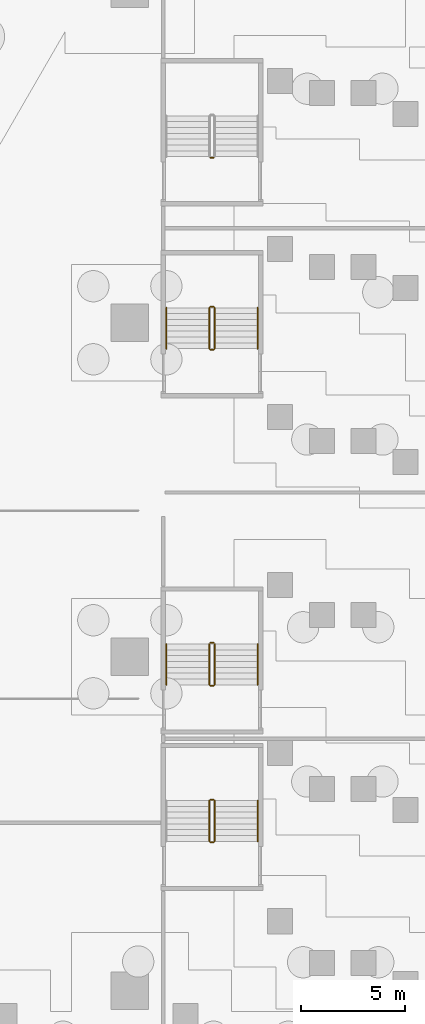
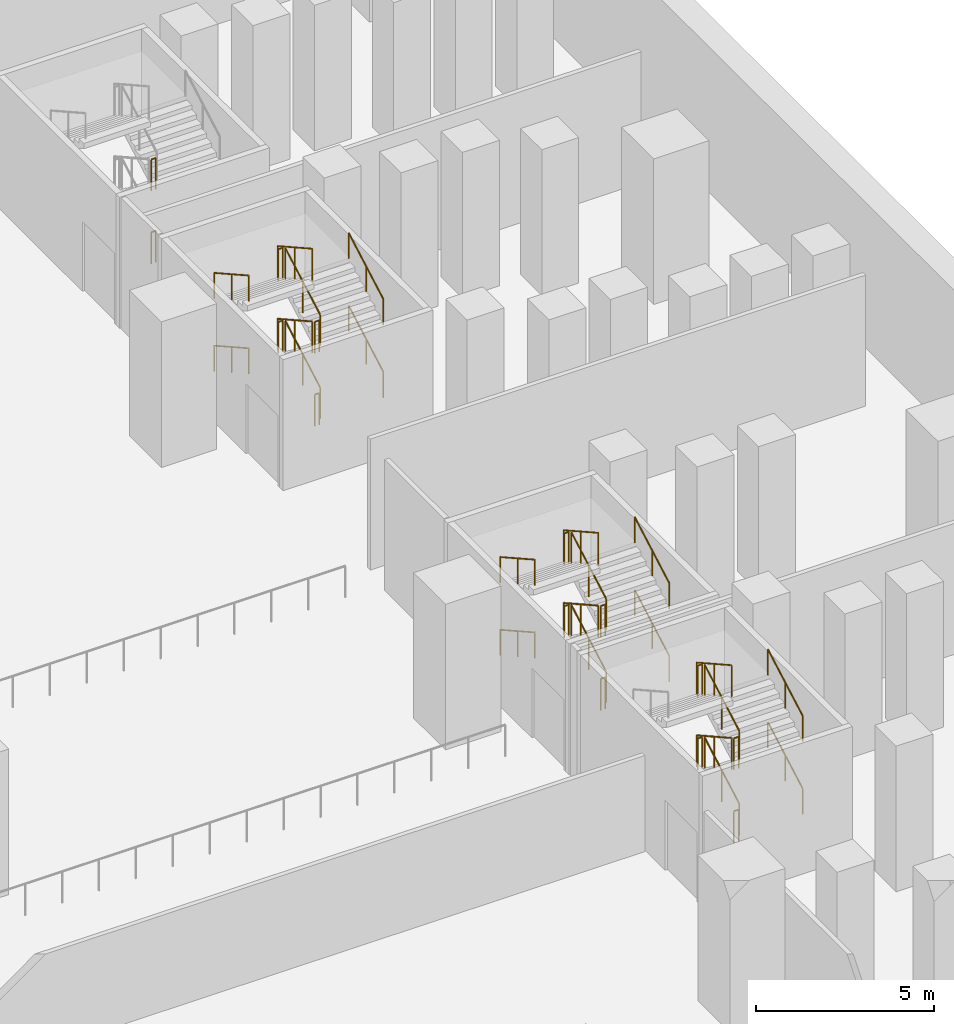
# One storey, part 23 of 27: 36 railings.
"""IFC4 building model written with IfcOpenShell, lengths in metres."""

from ifc_helpers import new_model, si_unit, direction, frame, origin, origin_2d, place, context, subcontext, project, spatial, circle, extrude, material, type_object, element, save


model = new_model("IFC4")

# Units and contexts
model_context = context("Model", 3, precision=1e-05, world=origin(), true_north=direction((0.0, 1.0)))
body_context = subcontext(model_context, "Body", "Model", "MODEL_VIEW")
ifc_project = project(units=[si_unit("LENGTHUNIT", "METRE"), si_unit("AREAUNIT", "SQUARE_METRE"), si_unit("VOLUMEUNIT", "CUBIC_METRE"), si_unit("PLANEANGLEUNIT", "RADIAN"), si_unit("MASSUNIT", "GRAM", prefix="KILO")], contexts=[model_context])

# Site, building, storey
site_placement = place(None, origin())
site = spatial("IfcSite", under=ifc_project, at=site_placement, CompositionType="ELEMENT")
building_placement = place(site_placement, origin())
building = spatial("IfcBuilding", under=site, at=building_placement, Name="Calabash Gate Tower", CompositionType="ELEMENT")
storey_placement = place(building_placement, frame((0.0, 0.0, -10.0)))
storey = spatial("IfcBuildingStorey", under=building, at=storey_placement, Name="B2", CompositionType="ELEMENT", Elevation=-10.0)

# Railings
ifc_material_1 = material(Name="Black powder-coated steel balusters", Category="steel")
railing_type_1 = type_object("IfcRailingType", Name="Stair guard RL1100", PredefinedType="GUARDRAIL", material=ifc_material_1)
railing_1_placement = place(storey_placement, frame((36.06005859375, -32.840087890625, 0.15625)))
element("IfcRailing", 1, at=railing_1_placement, inside=storey, type_object=railing_type_1, Name="B2 PS6 stair guard 1", PredefinedType="GUARDRAIL", context=body_context, shape_type="SweptSolid", body=[
    extrude(circle(Radius=0.02392578125, at=origin_2d()), frame((0.0, 0.0, 1.076171875), z_axis=(0.0, 0.87250601595, 0.488603368932), x_axis=(-1.0, 0.0, 0.0)), (0.0, 0.0, 1.0), 2.238525390625),
    extrude(circle(Radius=0.02099609375, at=origin_2d()), origin(), (0.0, 0.0, 1.0), 1.052001953125),
    extrude(circle(Radius=0.02099609375, at=origin_2d()), frame((0.0, 0.9765625, 0.546875)), (0.0, 0.0, 1.0), 1.052001953125),
    extrude(circle(Radius=0.02099609375, at=origin_2d()), frame((0.0, 1.953125, 1.09375)), (0.0, 0.0, 1.0), 1.052001953125),
])
railing_2_placement = place(storey_placement, frame((36.010009765625, -30.8369140625, 1.25)))
element("IfcRailing", 2, at=railing_2_placement, inside=storey, type_object=railing_type_1, Name="B2 PS6 stair guard 2", PredefinedType="GUARDRAIL", context=body_context, shape_type="SweptSolid", body=[
    extrude(circle(Radius=0.02392578125, at=origin_2d()), frame((0.0, 0.0, 1.076171875), z_axis=(-1.0, 0.0, 0.0), x_axis=(0.0, -1.0, 0.0)), (0.0, 0.0, 1.0), 0.14990234375),
    extrude(circle(Radius=0.02099609375, at=origin_2d()), origin(), (0.0, 0.0, 1.0), 1.052001953125),
    extrude(circle(Radius=0.02099609375, at=origin_2d()), frame((-0.14990234375, 0.0, 0.0)), (0.0, 0.0, 1.0), 1.052001953125),
])
railing_3_placement = place(storey_placement, frame((35.81005859375, -30.886962890625, 1.40625)))
element("IfcRailing", 3, at=railing_3_placement, inside=storey, type_object=railing_type_1, Name="B2 PS6 stair guard 3", PredefinedType="GUARDRAIL", context=body_context, shape_type="SweptSolid", body=[
    extrude(circle(Radius=0.02392578125, at=origin_2d()), frame((0.0, 0.0, 1.076171875), z_axis=(0.0, -0.87250601595, 0.488603368932), x_axis=(1.0, 0.0, 0.0)), (0.0, 0.0, 1.0), 2.238525390625),
    extrude(circle(Radius=0.02099609375, at=origin_2d()), origin(), (0.0, 0.0, 1.0), 1.052001953125),
    extrude(circle(Radius=0.02099609375, at=origin_2d()), frame((0.0, -0.9765625, 0.546875)), (0.0, 0.0, 1.0), 1.052001953125),
    extrude(circle(Radius=0.02099609375, at=origin_2d()), frame((0.0, -1.953125, 1.09375)), (0.0, 0.0, 1.0), 1.052001953125),
])
railing_4_placement = place(storey_placement, frame((36.010009765625, -32.889892578125, 2.5)))
element("IfcRailing", 4, at=railing_4_placement, inside=storey, type_object=railing_type_1, Name="B2 PS6 stair guard 4", PredefinedType="GUARDRAIL", context=body_context, shape_type="SweptSolid", body=[
    extrude(circle(Radius=0.02392578125, at=origin_2d()), frame((0.0, 0.0, 1.076171875), z_axis=(-1.0, 0.0, 0.0), x_axis=(0.0, -1.0, 0.0)), (0.0, 0.0, 1.0), 0.14990234375),
    extrude(circle(Radius=0.02099609375, at=origin_2d()), origin(), (0.0, 0.0, 1.0), 1.052001953125),
    extrude(circle(Radius=0.02099609375, at=origin_2d()), frame((-0.14990234375, 0.0, 0.0)), (0.0, 0.0, 1.0), 1.052001953125),
])
railing_5_placement = place(storey_placement, frame((36.06005859375, -32.840087890625, 2.65625)))
element("IfcRailing", 5, at=railing_5_placement, inside=storey, type_object=railing_type_1, Name="B2 PS6 stair guard 5", PredefinedType="GUARDRAIL", context=body_context, shape_type="SweptSolid", body=[
    extrude(circle(Radius=0.02392578125, at=origin_2d()), frame((0.0, 0.0, 1.076171875), z_axis=(0.0, 0.87250601595, 0.488603368932), x_axis=(-1.0, 0.0, 0.0)), (0.0, 0.0, 1.0), 2.238525390625),
    extrude(circle(Radius=0.02099609375, at=origin_2d()), origin(), (0.0, 0.0, 1.0), 1.052001953125),
    extrude(circle(Radius=0.02099609375, at=origin_2d()), frame((0.0, 0.9765625, 0.546875)), (0.0, 0.0, 1.0), 1.052001953125),
    extrude(circle(Radius=0.02099609375, at=origin_2d()), frame((0.0, 1.953125, 1.09375)), (0.0, 0.0, 1.0), 1.052001953125),
])
railing_6_placement = place(storey_placement, frame((36.010009765625, -30.8369140625, 3.75)))
element("IfcRailing", 6, at=railing_6_placement, inside=storey, type_object=railing_type_1, Name="B2 PS6 stair guard 6", PredefinedType="GUARDRAIL", context=body_context, shape_type="SweptSolid", body=[
    extrude(circle(Radius=0.02392578125, at=origin_2d()), frame((0.0, 0.0, 1.076171875), z_axis=(-1.0, 0.0, 0.0), x_axis=(0.0, -1.0, 0.0)), (0.0, 0.0, 1.0), 0.14990234375),
    extrude(circle(Radius=0.02099609375, at=origin_2d()), origin(), (0.0, 0.0, 1.0), 1.052001953125),
    extrude(circle(Radius=0.02099609375, at=origin_2d()), frame((-0.14990234375, 0.0, 0.0)), (0.0, 0.0, 1.0), 1.052001953125),
])
railing_7_placement = place(storey_placement, frame((35.81005859375, -30.886962890625, 3.90625)))
element("IfcRailing", 7, at=railing_7_placement, inside=storey, type_object=railing_type_1, Name="B2 PS6 stair guard 7", PredefinedType="GUARDRAIL", context=body_context, shape_type="SweptSolid", body=[
    extrude(circle(Radius=0.02392578125, at=origin_2d()), frame((0.0, 0.0, 1.076171875), z_axis=(0.0, -0.87250601595, 0.488603368932), x_axis=(1.0, 0.0, 0.0)), (0.0, 0.0, 1.0), 2.238525390625),
    extrude(circle(Radius=0.02099609375, at=origin_2d()), origin(), (0.0, 0.0, 1.0), 1.052001953125),
    extrude(circle(Radius=0.02099609375, at=origin_2d()), frame((0.0, -0.9765625, 0.546875)), (0.0, 0.0, 1.0), 1.052001953125),
    extrude(circle(Radius=0.02099609375, at=origin_2d()), frame((0.0, -1.953125, 1.09375)), (0.0, 0.0, 1.0), 1.052001953125),
])
railing_8_placement = place(storey_placement, frame((36.010009765625, -32.889892578125, 0.0)))
element("IfcRailing", 8, at=railing_8_placement, inside=storey, type_object=railing_type_1, Name="B2 PS6 stair guard 8", PredefinedType="GUARDRAIL", context=body_context, shape_type="SweptSolid", body=[
    extrude(circle(Radius=0.02392578125, at=origin_2d()), frame((0.0, 0.0, 1.076171875), z_axis=(-1.0, 0.0, 0.0), x_axis=(0.0, -1.0, 0.0)), (0.0, 0.0, 1.0), 0.14990234375),
    extrude(circle(Radius=0.02099609375, at=origin_2d()), origin(), (0.0, 0.0, 1.0), 1.052001953125),
    extrude(circle(Radius=0.02099609375, at=origin_2d()), frame((-0.14990234375, 0.0, 0.0)), (0.0, 0.0, 1.0), 1.052001953125),
])
railing_9_placement = place(storey_placement, frame((36.06005859375, -25.340087890625, 0.15625)))
element("IfcRailing", 9, at=railing_9_placement, inside=storey, type_object=railing_type_1, Name="B2 PS7 stair guard 1", PredefinedType="GUARDRAIL", context=body_context, shape_type="SweptSolid", body=[
    extrude(circle(Radius=0.02392578125, at=origin_2d()), frame((0.0, 0.0, 1.076171875), z_axis=(0.0, 0.87250601595, 0.488603368932), x_axis=(-1.0, 0.0, 0.0)), (0.0, 0.0, 1.0), 2.238525390625),
    extrude(circle(Radius=0.02099609375, at=origin_2d()), origin(), (0.0, 0.0, 1.0), 1.052001953125),
    extrude(circle(Radius=0.02099609375, at=origin_2d()), frame((0.0, 0.9765625, 0.546875)), (0.0, 0.0, 1.0), 1.052001953125),
    extrude(circle(Radius=0.02099609375, at=origin_2d()), frame((0.0, 1.953125, 1.09375)), (0.0, 0.0, 1.0), 1.052001953125),
])
railing_10_placement = place(storey_placement, frame((36.010009765625, -23.3369140625, 1.25)))
element("IfcRailing", 10, at=railing_10_placement, inside=storey, type_object=railing_type_1, Name="B2 PS7 stair guard 2", PredefinedType="GUARDRAIL", context=body_context, shape_type="SweptSolid", body=[
    extrude(circle(Radius=0.02392578125, at=origin_2d()), frame((0.0, 0.0, 1.076171875), z_axis=(-1.0, 0.0, 0.0), x_axis=(0.0, -1.0, 0.0)), (0.0, 0.0, 1.0), 0.14990234375),
    extrude(circle(Radius=0.02099609375, at=origin_2d()), origin(), (0.0, 0.0, 1.0), 1.052001953125),
    extrude(circle(Radius=0.02099609375, at=origin_2d()), frame((-0.14990234375, 0.0, 0.0)), (0.0, 0.0, 1.0), 1.052001953125),
])
railing_11_placement = place(storey_placement, frame((35.81005859375, -23.386962890625, 1.40625)))
element("IfcRailing", 11, at=railing_11_placement, inside=storey, type_object=railing_type_1, Name="B2 PS7 stair guard 3", PredefinedType="GUARDRAIL", context=body_context, shape_type="SweptSolid", body=[
    extrude(circle(Radius=0.02392578125, at=origin_2d()), frame((0.0, 0.0, 1.076171875), z_axis=(0.0, -0.87250601595, 0.488603368932), x_axis=(1.0, 0.0, 0.0)), (0.0, 0.0, 1.0), 2.238525390625),
    extrude(circle(Radius=0.02099609375, at=origin_2d()), origin(), (0.0, 0.0, 1.0), 1.052001953125),
    extrude(circle(Radius=0.02099609375, at=origin_2d()), frame((0.0, -0.9765625, 0.546875)), (0.0, 0.0, 1.0), 1.052001953125),
    extrude(circle(Radius=0.02099609375, at=origin_2d()), frame((0.0, -1.953125, 1.09375)), (0.0, 0.0, 1.0), 1.052001953125),
])
railing_12_placement = place(storey_placement, frame((36.010009765625, -25.389892578125, 2.5)))
element("IfcRailing", 12, at=railing_12_placement, inside=storey, type_object=railing_type_1, Name="B2 PS7 stair guard 4", PredefinedType="GUARDRAIL", context=body_context, shape_type="SweptSolid", body=[
    extrude(circle(Radius=0.02392578125, at=origin_2d()), frame((0.0, 0.0, 1.076171875), z_axis=(-1.0, 0.0, 0.0), x_axis=(0.0, -1.0, 0.0)), (0.0, 0.0, 1.0), 0.14990234375),
    extrude(circle(Radius=0.02099609375, at=origin_2d()), origin(), (0.0, 0.0, 1.0), 1.052001953125),
    extrude(circle(Radius=0.02099609375, at=origin_2d()), frame((-0.14990234375, 0.0, 0.0)), (0.0, 0.0, 1.0), 1.052001953125),
])
railing_13_placement = place(storey_placement, frame((36.06005859375, -25.340087890625, 2.65625)))
element("IfcRailing", 13, at=railing_13_placement, inside=storey, type_object=railing_type_1, Name="B2 PS7 stair guard 5", PredefinedType="GUARDRAIL", context=body_context, shape_type="SweptSolid", body=[
    extrude(circle(Radius=0.02392578125, at=origin_2d()), frame((0.0, 0.0, 1.076171875), z_axis=(0.0, 0.87250601595, 0.488603368932), x_axis=(-1.0, 0.0, 0.0)), (0.0, 0.0, 1.0), 2.238525390625),
    extrude(circle(Radius=0.02099609375, at=origin_2d()), origin(), (0.0, 0.0, 1.0), 1.052001953125),
    extrude(circle(Radius=0.02099609375, at=origin_2d()), frame((0.0, 0.9765625, 0.546875)), (0.0, 0.0, 1.0), 1.052001953125),
    extrude(circle(Radius=0.02099609375, at=origin_2d()), frame((0.0, 1.953125, 1.09375)), (0.0, 0.0, 1.0), 1.052001953125),
])
railing_14_placement = place(storey_placement, frame((36.010009765625, -23.3369140625, 3.75)))
element("IfcRailing", 14, at=railing_14_placement, inside=storey, type_object=railing_type_1, Name="B2 PS7 stair guard 6", PredefinedType="GUARDRAIL", context=body_context, shape_type="SweptSolid", body=[
    extrude(circle(Radius=0.02392578125, at=origin_2d()), frame((0.0, 0.0, 1.076171875), z_axis=(-1.0, 0.0, 0.0), x_axis=(0.0, -1.0, 0.0)), (0.0, 0.0, 1.0), 0.14990234375),
    extrude(circle(Radius=0.02099609375, at=origin_2d()), origin(), (0.0, 0.0, 1.0), 1.052001953125),
    extrude(circle(Radius=0.02099609375, at=origin_2d()), frame((-0.14990234375, 0.0, 0.0)), (0.0, 0.0, 1.0), 1.052001953125),
])
railing_15_placement = place(storey_placement, frame((35.81005859375, -23.386962890625, 3.90625)))
element("IfcRailing", 15, at=railing_15_placement, inside=storey, type_object=railing_type_1, Name="B2 PS7 stair guard 7", PredefinedType="GUARDRAIL", context=body_context, shape_type="SweptSolid", body=[
    extrude(circle(Radius=0.02392578125, at=origin_2d()), frame((0.0, 0.0, 1.076171875), z_axis=(0.0, -0.87250601595, 0.488603368932), x_axis=(1.0, 0.0, 0.0)), (0.0, 0.0, 1.0), 2.238525390625),
    extrude(circle(Radius=0.02099609375, at=origin_2d()), origin(), (0.0, 0.0, 1.0), 1.052001953125),
    extrude(circle(Radius=0.02099609375, at=origin_2d()), frame((0.0, -0.9765625, 0.546875)), (0.0, 0.0, 1.0), 1.052001953125),
    extrude(circle(Radius=0.02099609375, at=origin_2d()), frame((0.0, -1.953125, 1.09375)), (0.0, 0.0, 1.0), 1.052001953125),
])
railing_16_placement = place(storey_placement, frame((36.010009765625, -25.389892578125, 0.0)))
element("IfcRailing", 16, at=railing_16_placement, inside=storey, type_object=railing_type_1, Name="B2 PS7 stair guard 8", PredefinedType="GUARDRAIL", context=body_context, shape_type="SweptSolid", body=[
    extrude(circle(Radius=0.02392578125, at=origin_2d()), frame((0.0, 0.0, 1.076171875), z_axis=(-1.0, 0.0, 0.0), x_axis=(0.0, -1.0, 0.0)), (0.0, 0.0, 1.0), 0.14990234375),
    extrude(circle(Radius=0.02099609375, at=origin_2d()), origin(), (0.0, 0.0, 1.0), 1.052001953125),
    extrude(circle(Radius=0.02099609375, at=origin_2d()), frame((-0.14990234375, 0.0, 0.0)), (0.0, 0.0, 1.0), 1.052001953125),
])
railing_17_placement = place(storey_placement, frame((36.06005859375, -9.239990234375, 0.15625)))
element("IfcRailing", 17, at=railing_17_placement, inside=storey, type_object=railing_type_1, Name="B2 PS8 stair guard 1", PredefinedType="GUARDRAIL", context=body_context, shape_type="SweptSolid", body=[
    extrude(circle(Radius=0.02392578125, at=origin_2d()), frame((0.0, 0.0, 1.076171875), z_axis=(0.0, 0.872479975208, 0.48864986735), x_axis=(-1.0, 0.0, 0.0)), (0.0, 0.0, 1.0), 2.23828125),
    extrude(circle(Radius=0.02099609375, at=origin_2d()), origin(), (0.0, 0.0, 1.0), 1.052001953125),
    extrude(circle(Radius=0.02099609375, at=origin_2d()), frame((0.0, 0.9765625, 0.546875)), (0.0, 0.0, 1.0), 1.052001953125),
    extrude(circle(Radius=0.02099609375, at=origin_2d()), frame((0.0, 1.952880859375, 1.09375)), (0.0, 0.0, 1.0), 1.052001953125),
])
railing_18_placement = place(storey_placement, frame((36.010009765625, -7.237060546875, 1.25)))
element("IfcRailing", 18, at=railing_18_placement, inside=storey, type_object=railing_type_1, Name="B2 PS8 stair guard 2", PredefinedType="GUARDRAIL", context=body_context, shape_type="SweptSolid", body=[
    extrude(circle(Radius=0.02392578125, at=origin_2d()), frame((0.0, 0.0, 1.076171875), z_axis=(-1.0, 0.0, 0.0), x_axis=(0.0, -1.0, 0.0)), (0.0, 0.0, 1.0), 0.14990234375),
    extrude(circle(Radius=0.02099609375, at=origin_2d()), origin(), (0.0, 0.0, 1.0), 1.052001953125),
    extrude(circle(Radius=0.02099609375, at=origin_2d()), frame((-0.14990234375, 0.0, 0.0)), (0.0, 0.0, 1.0), 1.052001953125),
])
railing_19_placement = place(storey_placement, frame((35.81005859375, -7.287109375, 1.40625)))
element("IfcRailing", 19, at=railing_19_placement, inside=storey, type_object=railing_type_1, Name="B2 PS8 stair guard 3", PredefinedType="GUARDRAIL", context=body_context, shape_type="SweptSolid", body=[
    extrude(circle(Radius=0.02392578125, at=origin_2d()), frame((0.0, 0.0, 1.076171875), z_axis=(0.0, -0.872479975208, 0.48864986735), x_axis=(1.0, 0.0, 0.0)), (0.0, 0.0, 1.0), 2.23828125),
    extrude(circle(Radius=0.02099609375, at=origin_2d()), origin(), (0.0, 0.0, 1.0), 1.052001953125),
    extrude(circle(Radius=0.02099609375, at=origin_2d()), frame((0.0, -0.9765625, 0.546875)), (0.0, 0.0, 1.0), 1.052001953125),
    extrude(circle(Radius=0.02099609375, at=origin_2d()), frame((0.0, -1.952880859375, 1.09375)), (0.0, 0.0, 1.0), 1.052001953125),
])
railing_20_placement = place(storey_placement, frame((36.010009765625, -9.2900390625, 2.5)))
element("IfcRailing", 20, at=railing_20_placement, inside=storey, type_object=railing_type_1, Name="B2 PS8 stair guard 4", PredefinedType="GUARDRAIL", context=body_context, shape_type="SweptSolid", body=[
    extrude(circle(Radius=0.02392578125, at=origin_2d()), frame((0.0, 0.0, 1.076171875), z_axis=(-1.0, 0.0, 0.0), x_axis=(0.0, -1.0, 0.0)), (0.0, 0.0, 1.0), 0.14990234375),
    extrude(circle(Radius=0.02099609375, at=origin_2d()), origin(), (0.0, 0.0, 1.0), 1.052001953125),
    extrude(circle(Radius=0.02099609375, at=origin_2d()), frame((-0.14990234375, 0.0, 0.0)), (0.0, 0.0, 1.0), 1.052001953125),
])
railing_21_placement = place(storey_placement, frame((36.06005859375, -9.239990234375, 2.65625)))
element("IfcRailing", 21, at=railing_21_placement, inside=storey, type_object=railing_type_1, Name="B2 PS8 stair guard 5", PredefinedType="GUARDRAIL", context=body_context, shape_type="SweptSolid", body=[
    extrude(circle(Radius=0.02392578125, at=origin_2d()), frame((0.0, 0.0, 1.076171875), z_axis=(0.0, 0.872479975208, 0.48864986735), x_axis=(-1.0, 0.0, 0.0)), (0.0, 0.0, 1.0), 2.23828125),
    extrude(circle(Radius=0.02099609375, at=origin_2d()), origin(), (0.0, 0.0, 1.0), 1.052001953125),
    extrude(circle(Radius=0.02099609375, at=origin_2d()), frame((0.0, 0.9765625, 0.546875)), (0.0, 0.0, 1.0), 1.052001953125),
    extrude(circle(Radius=0.02099609375, at=origin_2d()), frame((0.0, 1.952880859375, 1.09375)), (0.0, 0.0, 1.0), 1.052001953125),
])
railing_22_placement = place(storey_placement, frame((36.010009765625, -7.237060546875, 3.75)))
element("IfcRailing", 22, at=railing_22_placement, inside=storey, type_object=railing_type_1, Name="B2 PS8 stair guard 6", PredefinedType="GUARDRAIL", context=body_context, shape_type="SweptSolid", body=[
    extrude(circle(Radius=0.02392578125, at=origin_2d()), frame((0.0, 0.0, 1.076171875), z_axis=(-1.0, 0.0, 0.0), x_axis=(0.0, -1.0, 0.0)), (0.0, 0.0, 1.0), 0.14990234375),
    extrude(circle(Radius=0.02099609375, at=origin_2d()), origin(), (0.0, 0.0, 1.0), 1.052001953125),
    extrude(circle(Radius=0.02099609375, at=origin_2d()), frame((-0.14990234375, 0.0, 0.0)), (0.0, 0.0, 1.0), 1.052001953125),
])
railing_23_placement = place(storey_placement, frame((35.81005859375, -7.287109375, 3.90625)))
element("IfcRailing", 23, at=railing_23_placement, inside=storey, type_object=railing_type_1, Name="B2 PS8 stair guard 7", PredefinedType="GUARDRAIL", context=body_context, shape_type="SweptSolid", body=[
    extrude(circle(Radius=0.02392578125, at=origin_2d()), frame((0.0, 0.0, 1.076171875), z_axis=(0.0, -0.872479975208, 0.48864986735), x_axis=(1.0, 0.0, 0.0)), (0.0, 0.0, 1.0), 2.23828125),
    extrude(circle(Radius=0.02099609375, at=origin_2d()), origin(), (0.0, 0.0, 1.0), 1.052001953125),
    extrude(circle(Radius=0.02099609375, at=origin_2d()), frame((0.0, -0.9765625, 0.546875)), (0.0, 0.0, 1.0), 1.052001953125),
    extrude(circle(Radius=0.02099609375, at=origin_2d()), frame((0.0, -1.952880859375, 1.09375)), (0.0, 0.0, 1.0), 1.052001953125),
])
for number, where, name in (
    (24, (36.010009765625, -9.2900390625, 0.0), "B2 PS8 stair guard 8"),
    (25, (36.010009765625, -0.090087890625, 2.5), "B2 PS9 stair guard 4"),
    (26, (36.010009765625, -0.090087890625, 0.0), "B2 PS9 stair guard 8"),
):
    element("IfcRailing", number, at=place(storey_placement, frame(where)), inside=storey, type_object=railing_type_1, Name=name, PredefinedType="GUARDRAIL", context=body_context, shape_type="SweptSolid", body=[
        extrude(circle(Radius=0.02392578125, at=origin_2d()), frame((0.0, 0.0, 1.076171875), z_axis=(-1.0, 0.0, 0.0), x_axis=(0.0, -1.0, 0.0)), (0.0, 0.0, 1.0), 0.14990234375),
        extrude(circle(Radius=0.02099609375, at=origin_2d()), origin(), (0.0, 0.0, 1.0), 1.052001953125),
        extrude(circle(Radius=0.02099609375, at=origin_2d()), frame((-0.14990234375, 0.0, 0.0)), (0.0, 0.0, 1.0), 1.052001953125),
    ])
ifc_material_2 = material(Name="Black powder-coated steel tube 48 mm", Category="steel")
railing_type_2 = type_object("IfcRailingType", Name="Stair handrail RL900", PredefinedType="HANDRAIL", material=ifc_material_2)
for number, where, name in (
    (27, (38.1201171875, -32.840087890625, 0.15625), "B2 PS6 stair handrail 1"),
    (28, (38.1201171875, -32.840087890625, 2.65625), "B2 PS6 stair handrail 3"),
    (29, (38.1201171875, -25.340087890625, 0.15625), "B2 PS7 stair handrail 1"),
):
    element("IfcRailing", number, at=place(storey_placement, frame(where)), inside=storey, type_object=railing_type_2, Name=name, PredefinedType="HANDRAIL", context=body_context, shape_type="SweptSolid", body=[
        extrude(circle(Radius=0.02392578125, at=origin_2d()), frame((0.0, 0.0, 0.8759765625), z_axis=(0.0, 0.87250601595, 0.488603368932), x_axis=(-1.0, 0.0, 0.0)), (0.0, 0.0, 1.0), 2.238525390625),
        extrude(circle(Radius=0.02099609375, at=origin_2d()), origin(), (0.0, 0.0, 1.0), 0.851806640625),
        extrude(circle(Radius=0.02099609375, at=origin_2d()), frame((0.0, 0.9765625, 0.546875)), (0.0, 0.0, 1.0), 0.851806640625),
        extrude(circle(Radius=0.02099609375, at=origin_2d()), frame((0.0, 1.953125, 1.09375)), (0.0, 0.0, 1.0), 0.851806640625),
    ])
railing_24_placement = place(storey_placement, frame((33.75, -23.386962890625, 1.40625)))
element("IfcRailing", 30, at=railing_24_placement, inside=storey, type_object=railing_type_2, Name="B2 PS7 stair handrail 2", PredefinedType="HANDRAIL", context=body_context, shape_type="SweptSolid", body=[
    extrude(circle(Radius=0.02392578125, at=origin_2d()), frame((0.0, 0.0, 0.8759765625), z_axis=(0.0, -0.87250601595, 0.488603368932), x_axis=(1.0, 0.0, 0.0)), (0.0, 0.0, 1.0), 2.238525390625),
    extrude(circle(Radius=0.02099609375, at=origin_2d()), origin(), (0.0, 0.0, 1.0), 0.851806640625),
    extrude(circle(Radius=0.02099609375, at=origin_2d()), frame((0.0, -0.9765625, 0.546875)), (0.0, 0.0, 1.0), 0.851806640625),
    extrude(circle(Radius=0.02099609375, at=origin_2d()), frame((0.0, -1.953125, 1.09375)), (0.0, 0.0, 1.0), 0.851806640625),
])
railing_25_placement = place(storey_placement, frame((38.1201171875, -25.340087890625, 2.65625)))
element("IfcRailing", 31, at=railing_25_placement, inside=storey, type_object=railing_type_2, Name="B2 PS7 stair handrail 3", PredefinedType="HANDRAIL", context=body_context, shape_type="SweptSolid", body=[
    extrude(circle(Radius=0.02392578125, at=origin_2d()), frame((0.0, 0.0, 0.8759765625), z_axis=(0.0, 0.87250601595, 0.488603368932), x_axis=(-1.0, 0.0, 0.0)), (0.0, 0.0, 1.0), 2.238525390625),
    extrude(circle(Radius=0.02099609375, at=origin_2d()), origin(), (0.0, 0.0, 1.0), 0.851806640625),
    extrude(circle(Radius=0.02099609375, at=origin_2d()), frame((0.0, 0.9765625, 0.546875)), (0.0, 0.0, 1.0), 0.851806640625),
    extrude(circle(Radius=0.02099609375, at=origin_2d()), frame((0.0, 1.953125, 1.09375)), (0.0, 0.0, 1.0), 0.851806640625),
])
railing_26_placement = place(storey_placement, frame((33.75, -23.386962890625, 3.90625)))
element("IfcRailing", 32, at=railing_26_placement, inside=storey, type_object=railing_type_2, Name="B2 PS7 stair handrail 4", PredefinedType="HANDRAIL", context=body_context, shape_type="SweptSolid", body=[
    extrude(circle(Radius=0.02392578125, at=origin_2d()), frame((0.0, 0.0, 0.8759765625), z_axis=(0.0, -0.87250601595, 0.488603368932), x_axis=(1.0, 0.0, 0.0)), (0.0, 0.0, 1.0), 2.238525390625),
    extrude(circle(Radius=0.02099609375, at=origin_2d()), origin(), (0.0, 0.0, 1.0), 0.851806640625),
    extrude(circle(Radius=0.02099609375, at=origin_2d()), frame((0.0, -0.9765625, 0.546875)), (0.0, 0.0, 1.0), 0.851806640625),
    extrude(circle(Radius=0.02099609375, at=origin_2d()), frame((0.0, -1.953125, 1.09375)), (0.0, 0.0, 1.0), 0.851806640625),
])
railing_27_placement = place(storey_placement, frame((38.1201171875, -9.239990234375, 0.15625)))
element("IfcRailing", 33, at=railing_27_placement, inside=storey, type_object=railing_type_2, Name="B2 PS8 stair handrail 1", PredefinedType="HANDRAIL", context=body_context, shape_type="SweptSolid", body=[
    extrude(circle(Radius=0.02392578125, at=origin_2d()), frame((0.0, 0.0, 0.8759765625), z_axis=(0.0, 0.872479975208, 0.48864986735), x_axis=(-1.0, 0.0, 0.0)), (0.0, 0.0, 1.0), 2.23828125),
    extrude(circle(Radius=0.02099609375, at=origin_2d()), origin(), (0.0, 0.0, 1.0), 0.851806640625),
    extrude(circle(Radius=0.02099609375, at=origin_2d()), frame((0.0, 0.9765625, 0.546875)), (0.0, 0.0, 1.0), 0.851806640625),
    extrude(circle(Radius=0.02099609375, at=origin_2d()), frame((0.0, 1.952880859375, 1.09375)), (0.0, 0.0, 1.0), 0.851806640625),
])
railing_28_placement = place(storey_placement, frame((33.75, -7.287109375, 1.40625)))
element("IfcRailing", 34, at=railing_28_placement, inside=storey, type_object=railing_type_2, Name="B2 PS8 stair handrail 2", PredefinedType="HANDRAIL", context=body_context, shape_type="SweptSolid", body=[
    extrude(circle(Radius=0.02392578125, at=origin_2d()), frame((0.0, 0.0, 0.8759765625), z_axis=(0.0, -0.872479975208, 0.48864986735), x_axis=(1.0, 0.0, 0.0)), (0.0, 0.0, 1.0), 2.23828125),
    extrude(circle(Radius=0.02099609375, at=origin_2d()), origin(), (0.0, 0.0, 1.0), 0.851806640625),
    extrude(circle(Radius=0.02099609375, at=origin_2d()), frame((0.0, -0.9765625, 0.546875)), (0.0, 0.0, 1.0), 0.851806640625),
    extrude(circle(Radius=0.02099609375, at=origin_2d()), frame((0.0, -1.952880859375, 1.09375)), (0.0, 0.0, 1.0), 0.851806640625),
])
railing_29_placement = place(storey_placement, frame((38.1201171875, -9.239990234375, 2.65625)))
element("IfcRailing", 35, at=railing_29_placement, inside=storey, type_object=railing_type_2, Name="B2 PS8 stair handrail 3", PredefinedType="HANDRAIL", context=body_context, shape_type="SweptSolid", body=[
    extrude(circle(Radius=0.02392578125, at=origin_2d()), frame((0.0, 0.0, 0.8759765625), z_axis=(0.0, 0.872479975208, 0.48864986735), x_axis=(-1.0, 0.0, 0.0)), (0.0, 0.0, 1.0), 2.23828125),
    extrude(circle(Radius=0.02099609375, at=origin_2d()), origin(), (0.0, 0.0, 1.0), 0.851806640625),
    extrude(circle(Radius=0.02099609375, at=origin_2d()), frame((0.0, 0.9765625, 0.546875)), (0.0, 0.0, 1.0), 0.851806640625),
    extrude(circle(Radius=0.02099609375, at=origin_2d()), frame((0.0, 1.952880859375, 1.09375)), (0.0, 0.0, 1.0), 0.851806640625),
])
railing_30_placement = place(storey_placement, frame((33.75, -7.287109375, 3.90625)))
element("IfcRailing", 36, at=railing_30_placement, inside=storey, type_object=railing_type_2, Name="B2 PS8 stair handrail 4", PredefinedType="HANDRAIL", context=body_context, shape_type="SweptSolid", body=[
    extrude(circle(Radius=0.02392578125, at=origin_2d()), frame((0.0, 0.0, 0.8759765625), z_axis=(0.0, -0.872479975208, 0.48864986735), x_axis=(1.0, 0.0, 0.0)), (0.0, 0.0, 1.0), 2.23828125),
    extrude(circle(Radius=0.02099609375, at=origin_2d()), origin(), (0.0, 0.0, 1.0), 0.851806640625),
    extrude(circle(Radius=0.02099609375, at=origin_2d()), frame((0.0, -0.9765625, 0.546875)), (0.0, 0.0, 1.0), 0.851806640625),
    extrude(circle(Radius=0.02099609375, at=origin_2d()), frame((0.0, -1.952880859375, 1.09375)), (0.0, 0.0, 1.0), 0.851806640625),
])

save(model, "model.ifc")
